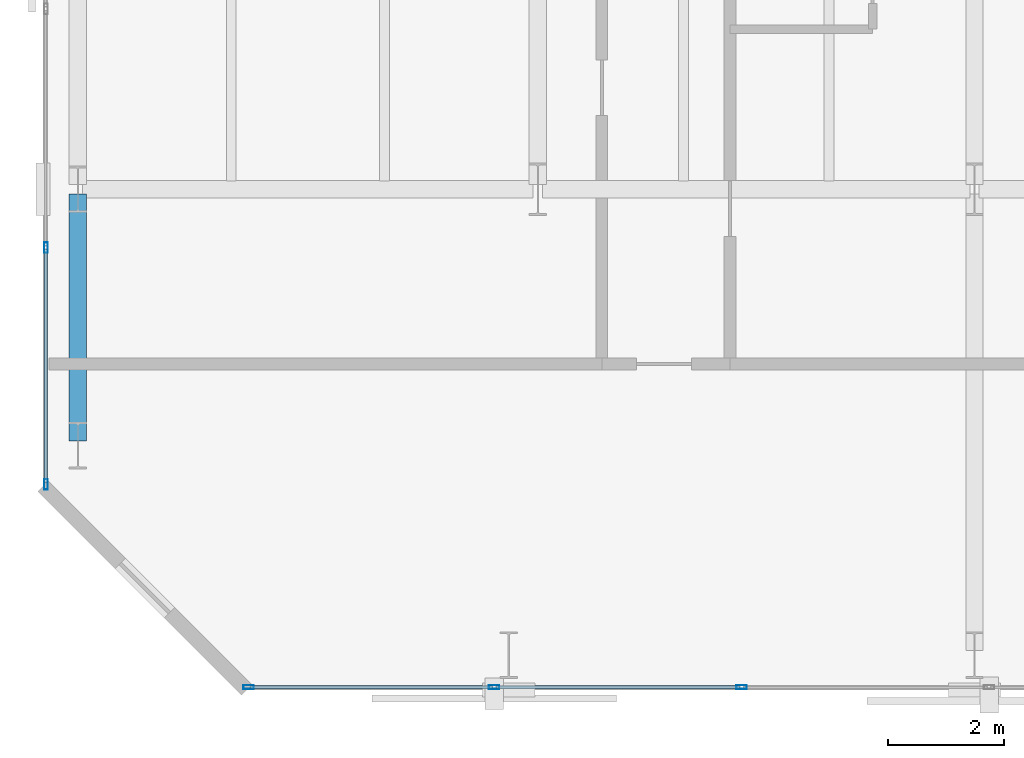
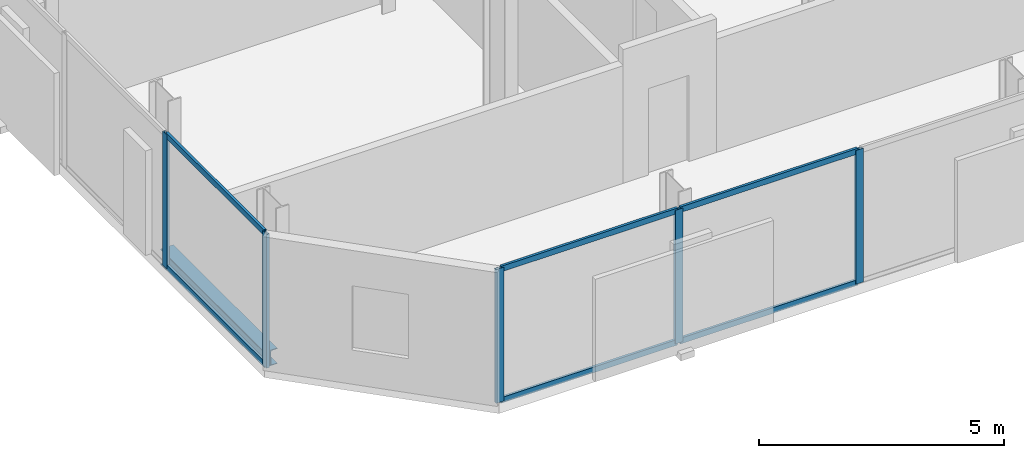
# One storey, part 3 of 32: 11 members, 1 beam, 2 elements without a shape of their own.
"""IFC4 building model written with IfcOpenShell, lengths in metres."""

from ifc_helpers import new_model, si_unit, direction, frame, origin, origin_2d, place, context, subcontext, project, spatial, hollow_rectangle, i_section, extrude, material, layer, layer_set, material_profile, profile_set, type_object, element, aggregate, save


model = new_model("IFC4")

# Units and contexts
model_context = context("Model", 3, precision=1e-05, world=origin(), true_north=direction((0.0, 1.0)))
body_context = subcontext(model_context, "Body", "Model", "MODEL_VIEW")
ifc_project = project(units=[si_unit("LENGTHUNIT", "METRE"), si_unit("AREAUNIT", "SQUARE_METRE"), si_unit("VOLUMEUNIT", "CUBIC_METRE"), si_unit("PLANEANGLEUNIT", "RADIAN"), si_unit("MASSUNIT", "GRAM", prefix="KILO")], contexts=[model_context])

# Site, building, storey
site_placement = place(None, origin())
site = spatial("IfcSite", under=ifc_project, at=site_placement, CompositionType="ELEMENT")
building_placement = place(site_placement, origin())
building = spatial("IfcBuilding", under=site, at=building_placement, Name="Catumbela Crestline Tower", CompositionType="ELEMENT")
storey_placement = place(building_placement, frame((0.0, 0.0, 61.8)))
storey = spatial("IfcBuildingStorey", under=building, at=storey_placement, Name="L15", CompositionType="ELEMENT", Elevation=61.8)

# Curtain wall, members
ifc_material_1 = material(Name="Aluminium alloy AW-6060-T66", Category="aluminium")
ifc_layer = layer(ifc_material_1, 0.18, Name="Aluminium alloy AW-6060-T66")
ifc_layer_set = layer_set([ifc_layer], Name="Aluminium alloy AW-6060-T66")
curtain_wall_type = type_object("IfcCurtainWallType", Name="CWU-Z1", PredefinedType="USERDEFINED", material=ifc_layer_set)
curtain_wall_1_placement = place(storey_placement, origin())
curtain_wall_1 = element("IfcCurtainWall", 1, at=curtain_wall_1_placement, inside=storey, type_object=curtain_wall_type, Name="L15 Unitised Curtain Wall CW-L15-E0S1", ObjectType="UNITISED", PredefinedType="USERDEFINED")
ifc_material_profile_1 = material_profile(ifc_material_1, hollow_rectangle(XDim=0.065, YDim=0.18, WallThickness=0.004, at=origin_2d()), Name="ALU 180x65x4")
ifc_profile_set_1 = profile_set([ifc_material_profile_1], Name="Aluminium alloy AW-6060-T66")
member_type_1 = type_object("IfcMemberType", Name="MUL-180X65", PredefinedType="MULLION", material=ifc_profile_set_1)
member_1_placement = place(storey_placement, frame((3.5325, 0.05, 0.0), z_axis=(0.0, 0.0, 1.0), x_axis=(0.0, 1.0, 0.0)))
member_1 = element("IfcMember", 2, at=member_1_placement, type_object=member_type_1, Name="CWU-Z1 mullion 1", PredefinedType="MULLION", context=body_context, shape_type="SweptSolid", body=[
    extrude(hollow_rectangle(XDim=0.065, YDim=0.18, WallThickness=0.004, at=origin_2d()), origin(), (0.0, 0.0, 1.0), 3.33),
])
member_2_placement = place(storey_placement, frame((7.75, 0.05, 0.0), z_axis=(0.0, 0.0, 1.0), x_axis=(0.0, 1.0, 0.0)))
member_2 = element("IfcMember", 3, at=member_2_placement, type_object=member_type_1, Name="CWU-Z1 mullion 2", PredefinedType="MULLION", context=body_context, shape_type="SweptSolid", body=[
    extrude(hollow_rectangle(XDim=0.065, YDim=0.18, WallThickness=0.004, at=origin_2d()), origin(), (0.0, 0.0, 1.0), 3.33),
])
member_3_placement = place(storey_placement, frame((12.0, 0.05, 0.0), z_axis=(0.0, 0.0, 1.0), x_axis=(0.0, 1.0, 0.0)))
member_3 = element("IfcMember", 4, at=member_3_placement, type_object=member_type_1, Name="CWU-Z1 mullion 3", PredefinedType="MULLION", context=body_context, shape_type="SweptSolid", body=[
    extrude(hollow_rectangle(XDim=0.065, YDim=0.18, WallThickness=0.004, at=origin_2d()), origin(), (0.0, 0.0, 1.0), 3.33),
])

curtain_wall_2_placement = place(storey_placement, origin())
curtain_wall_2 = element("IfcCurtainWall", 5, at=curtain_wall_2_placement, inside=storey, type_object=curtain_wall_type, Name="L15 Unitised Curtain Wall CW-L15-E9S1", ObjectType="UNITISED", PredefinedType="USERDEFINED")
member_4_placement = place(storey_placement, frame((0.05, 7.6, 0.0), z_axis=(0.0, 0.0, 1.0), x_axis=(1.0, 0.0, 0.0)))
member_4 = element("IfcMember", 6, at=member_4_placement, type_object=member_type_1, Name="CWU-Z1 mullion 10", PredefinedType="MULLION", context=body_context, shape_type="SweptSolid", body=[
    extrude(hollow_rectangle(XDim=0.065, YDim=0.18, WallThickness=0.004, at=origin_2d()), origin(), (0.0, 0.0, 1.0), 3.33),
])
member_5_placement = place(storey_placement, frame((0.05, 3.5325, 0.0), z_axis=(0.0, 0.0, 1.0), x_axis=(1.0, 0.0, 0.0)))
member_5 = element("IfcMember", 7, at=member_5_placement, type_object=member_type_1, Name="CWU-Z1 mullion 11", PredefinedType="MULLION", context=body_context, shape_type="SweptSolid", body=[
    extrude(hollow_rectangle(XDim=0.065, YDim=0.18, WallThickness=0.004, at=origin_2d()), origin(), (0.0, 0.0, 1.0), 3.33),
])

# Beam
ifc_material_2 = material(Name="Structural steel S355J2", Category="steel")
ifc_material_profile_2 = material_profile(ifc_material_2, i_section(OverallWidth=0.3, OverallDepth=0.39, WebThickness=0.011, FlangeThickness=0.019, FilletRadius=0.027, at=origin_2d()), Name="HEA 400")
ifc_profile_set_2 = profile_set([ifc_material_profile_2], Name="Structural steel S355J2")
beam_type = type_object("IfcBeamType", Name="BS-HEA400", PredefinedType="SPANDREL", material=ifc_profile_set_2)
beam_placement = place(storey_placement, frame((0.6, 4.28, -0.455), z_axis=(0.0, 1.0, 0.0), x_axis=(-1.0, 0.0, 0.0)))
element("IfcBeam", 8, at=beam_placement, inside=storey, type_object=beam_type, Name="L15 Spandrel SP-L15-WNS57", PredefinedType="SPANDREL", context=body_context, shape_type="SweptSolid", body=[
    extrude(i_section(OverallWidth=0.3, OverallDepth=0.39, WebThickness=0.011, FlangeThickness=0.019, FilletRadius=0.027, at=origin_2d()), origin(), (0.0, 0.0, 1.0), 4.24),
])

# Member
ifc_material_profile_3 = material_profile(ifc_material_1, hollow_rectangle(XDim=0.06, YDim=0.14, WallThickness=0.004, at=origin_2d()), Name="ALU 140x60x4")
ifc_profile_set_3 = profile_set([ifc_material_profile_3], Name="Aluminium alloy AW-6060-T66")
member_type_2 = type_object("IfcMemberType", Name="TRN-140X60", PredefinedType="USERDEFINED", material=ifc_profile_set_3)
member_6_placement = place(storey_placement, frame((3.565, 0.05, 0.03), z_axis=(1.0, 0.0, 0.0), x_axis=(0.0, 1.0, 0.0)))
member_6 = element("IfcMember", 9, at=member_6_placement, type_object=member_type_2, Name="CWU-Z1 transom 1.1", ObjectType="TRANSOM", PredefinedType="USERDEFINED", context=body_context, shape_type="SweptSolid", body=[
    extrude(hollow_rectangle(XDim=0.06, YDim=0.14, WallThickness=0.004, at=origin_2d()), origin(), (0.0, 0.0, 1.0), 4.1525),
])

member_7_placement = place(storey_placement, frame((3.565, 0.05, 3.3), z_axis=(1.0, 0.0, 0.0), x_axis=(0.0, 1.0, 0.0)))
member_7 = element("IfcMember", 10, at=member_7_placement, type_object=member_type_2, Name="CWU-Z1 transom 1.2", ObjectType="TRANSOM", PredefinedType="USERDEFINED", context=body_context, shape_type="SweptSolid", body=[
    extrude(hollow_rectangle(XDim=0.06, YDim=0.14, WallThickness=0.004, at=origin_2d()), origin(), (0.0, 0.0, 1.0), 4.1525),
])

member_8_placement = place(storey_placement, frame((7.7825, 0.05, 0.03), z_axis=(1.0, 0.0, 0.0), x_axis=(0.0, 1.0, 0.0)))
member_8 = element("IfcMember", 11, at=member_8_placement, type_object=member_type_2, Name="CWU-Z1 transom 2.1", ObjectType="TRANSOM", PredefinedType="USERDEFINED", context=body_context, shape_type="SweptSolid", body=[
    extrude(hollow_rectangle(XDim=0.06, YDim=0.14, WallThickness=0.004, at=origin_2d()), origin(), (0.0, 0.0, 1.0), 4.185),
])

member_9_placement = place(storey_placement, frame((7.7825, 0.05, 3.3), z_axis=(1.0, 0.0, 0.0), x_axis=(0.0, 1.0, 0.0)))
member_9 = element("IfcMember", 12, at=member_9_placement, type_object=member_type_2, Name="CWU-Z1 transom 2.2", ObjectType="TRANSOM", PredefinedType="USERDEFINED", context=body_context, shape_type="SweptSolid", body=[
    extrude(hollow_rectangle(XDim=0.06, YDim=0.14, WallThickness=0.004, at=origin_2d()), origin(), (0.0, 0.0, 1.0), 4.185),
])

aggregate(curtain_wall_1, [member_1, member_2, member_3, member_6, member_7, member_8, member_9])

member_10_placement = place(storey_placement, frame((0.05, 7.5675, 0.03), z_axis=(0.0, -1.0, 0.0), x_axis=(1.0, 0.0, 0.0)))
member_10 = element("IfcMember", 13, at=member_10_placement, type_object=member_type_2, Name="CWU-Z1 transom 10.1", ObjectType="TRANSOM", PredefinedType="USERDEFINED", context=body_context, shape_type="SweptSolid", body=[
    extrude(hollow_rectangle(XDim=0.06, YDim=0.14, WallThickness=0.004, at=origin_2d()), origin(), (0.0, 0.0, 1.0), 4.0025),
])

member_11_placement = place(storey_placement, frame((0.05, 7.5675, 3.3), z_axis=(0.0, -1.0, 0.0), x_axis=(1.0, 0.0, 0.0)))
member_11 = element("IfcMember", 14, at=member_11_placement, type_object=member_type_2, Name="CWU-Z1 transom 10.2", ObjectType="TRANSOM", PredefinedType="USERDEFINED", context=body_context, shape_type="SweptSolid", body=[
    extrude(hollow_rectangle(XDim=0.06, YDim=0.14, WallThickness=0.004, at=origin_2d()), origin(), (0.0, 0.0, 1.0), 4.0025),
])

aggregate(curtain_wall_2, [member_4, member_5, member_10, member_11])

save(model, "model.ifc")
